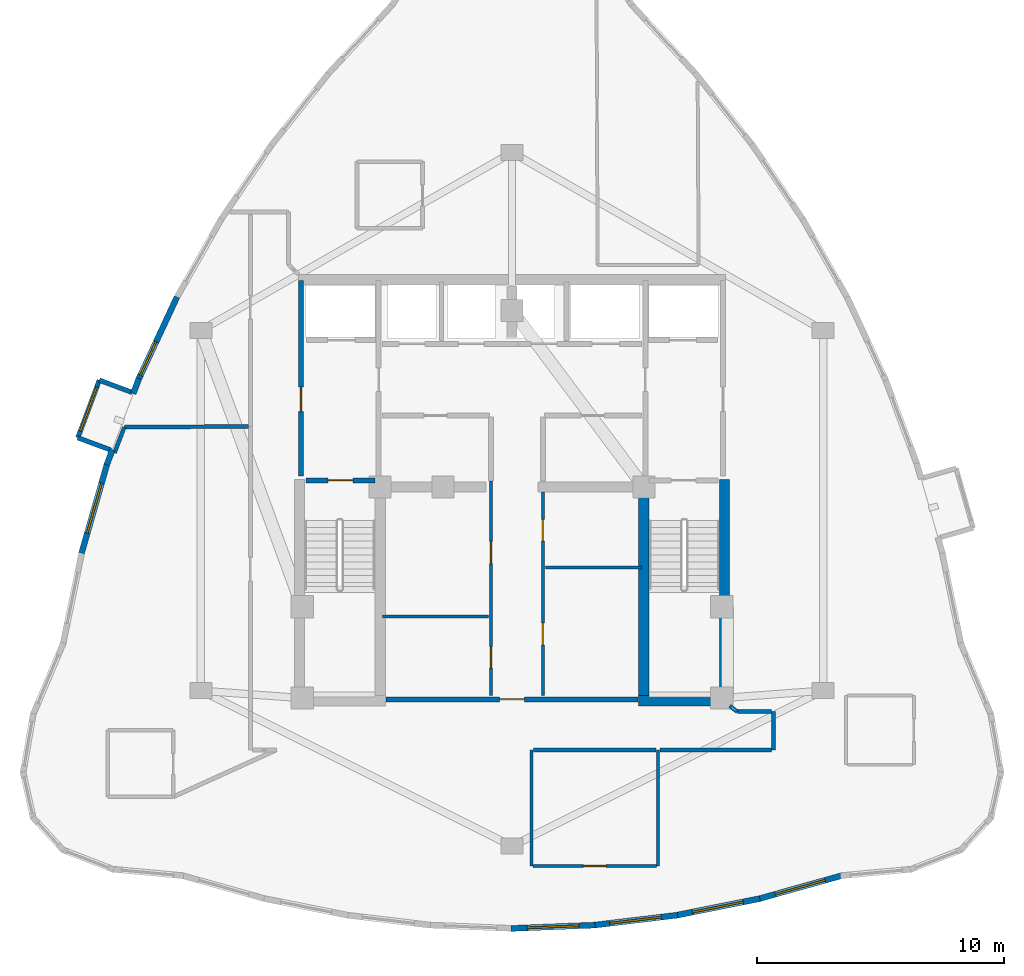
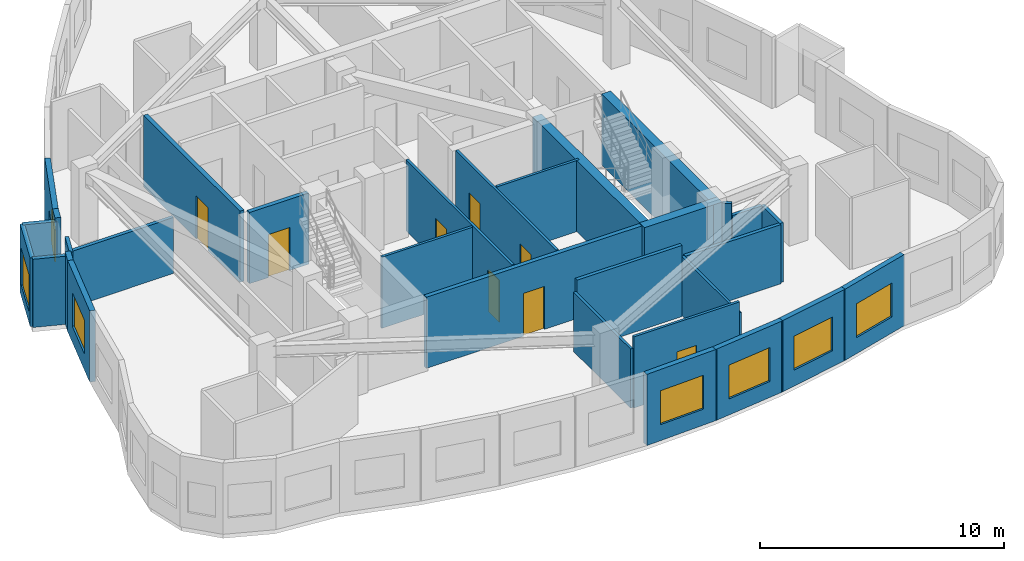
# One storey, part 5 of 9: 31 walls, 8 doors, 7 windows, 15 openings.
"""IFC4 building model written with IfcOpenShell, lengths in metres."""

from ifc_helpers import new_model, si_unit, direction, frame, frame_2d, origin, place, context, subcontext, project, spatial, rectangle, extrude, material, layer, layer_set, type_object, element, fill, save


model = new_model("IFC4")

# Units and contexts
model_context = context("Model", 3, precision=1e-05, world=origin(), true_north=direction((0.0, 1.0)))
body_context = subcontext(model_context, "Body", "Model", "MODEL_VIEW")
ifc_project = project(units=[si_unit("LENGTHUNIT", "METRE"), si_unit("AREAUNIT", "SQUARE_METRE"), si_unit("VOLUMEUNIT", "CUBIC_METRE"), si_unit("PLANEANGLEUNIT", "RADIAN"), si_unit("MASSUNIT", "GRAM", prefix="KILO")], contexts=[model_context])

# Site, building, storey
site_placement = place(None, origin())
site = spatial("IfcSite", under=ifc_project, at=site_placement, CompositionType="ELEMENT")
building_placement = place(site_placement, origin())
building = spatial("IfcBuilding", under=site, at=building_placement, Name="Miruveldt Soraemaru", CompositionType="ELEMENT")
storey_placement = place(building_placement, frame((0.0, 0.0, 267.39990234375)))
storey = spatial("IfcBuildingStorey", under=building, at=storey_placement, Name="L73", CompositionType="ELEMENT", Elevation=267.39990234375)

# Walls
ifc_material_1 = material(Name="White powder-coated aluminium EN AW-6060 T6", Category="aluminium")
ifc_layer_1 = layer(ifc_material_1, 0.18994140625, Name="White powder-coated aluminium EN AW-6060 T6", Category="aluminium")
ifc_layer_set_1 = layer_set([ifc_layer_1], Name="White powder-coated aluminium EN AW-6060 T6")
wall_type_1 = type_object("IfcWallType", Name="WALL-BAY-ALU190", PredefinedType="SOLIDWALL", material=ifc_layer_set_1)
for number, where, z_axis, x_axis, name in (
    (1, (28.61669921875, 47.8828125, 0.0), (0.0, 0.0, 1.0), (-0.937129361406, 0.348982177182, 0.0), "L73 Bay Window Side Cheek 1L"),
    (2, (26.410888671875, 46.0439453125, 0.0), (0.0, 0.0, 1.0), (0.937129361406, -0.348982177182, 0.0), "L73 Bay Window Side Cheek 1R"),
):
    element("IfcWall", number, at=place(storey_placement, frame(where, z_axis=z_axis, x_axis=x_axis)), inside=storey, type_object=wall_type_1, Name=name, PredefinedType="SOLIDWALL", context=body_context, shape_type="SweptSolid", body=[
        extrude(rectangle(XDim=1.425048828125, YDim=0.18994140625, at=frame_2d((0.71240234375, 0.0))), origin(), (0.0, 0.0, 1.0), 3.4150390625),
    ])

# Wall, opening, window
wall_1_placement = place(storey_placement, frame((27.28125, 48.380126953125, 0.0), z_axis=(0.0, 0.0, 1.0), x_axis=(-0.349115767746, -0.937079602121, 0.0)))
wall_1 = element("IfcWall", 3, at=wall_1_placement, inside=storey, type_object=wall_type_1, Name="L73 Bay Window Front Frame 1", PredefinedType="SOLIDWALL", context=body_context, shape_type="SweptSolid", body=[
    extrude(rectangle(XDim=2.4931640625, YDim=0.18994140625, at=frame_2d((1.24658203125, 0.0))), origin(), (0.0, 0.0, 1.0), 3.4150390625),
])
opening_1_placement = place(wall_1_placement, frame((0.297119140625, 0.0, 0.550048828125)))
opening_1 = element("IfcOpeningElement", 4, at=opening_1_placement, cuts=wall_1, Name="Opening WN-6", PredefinedType="OPENING", context=body_context, shape_type="SweptSolid", body=[
    extrude(rectangle(XDim=1.89990234375, YDim=1.85009765625, at=frame_2d((0.949951171875, 0.925048828125))), frame((0.0, 0.10498046875, 0.0), z_axis=(0.0, -1.0, 0.0), x_axis=(1.0, 0.0, 0.0)), (0.0, 0.0, 1.0), 0.2099609375),
])
ifc_material_2 = material(Name="Triple low-e insulated glazing", Category="glass")
window_type_1 = type_object("IfcWindowType", Name="WIN-BAYW-1900x1850", PartitioningType="SINGLE_PANEL", PredefinedType="WINDOW", material=ifc_material_2)
window_1_placement = place(opening_1_placement, origin())
window_1 = element("IfcWindow", 5, at=window_1_placement, inside=storey, type_object=window_type_1, Name="L73 Projecting Bay Window 1", OverallHeight=1.85009765625, OverallWidth=1.89990234375, PartitioningType="SINGLE_PANEL", PredefinedType="WINDOW", context=body_context, shape_type="SweptSolid", body=[
    extrude(rectangle(XDim=1.89990234375, YDim=1.85009765625, at=frame_2d((0.949951171875, 0.925048828125))), frame((0.0, 0.030029296875, 0.0), z_axis=(0.0, -1.0, 0.0), x_axis=(1.0, 0.0, 0.0)), (0.0, 0.0, 1.0), 0.06005859375),
])
fill(opening_1, window_1)

# Walls
ifc_material_3 = material(Name="Concrete C50/60 (50 MPa)", Category="concrete")
ifc_layer_2 = layer(ifc_material_3, 0.419921875, Name="Concrete C50/60 (50 MPa)", Category="concrete")
ifc_layer_set_2 = layer_set([ifc_layer_2], Name="Concrete C50/60 (50 MPa)")
wall_type_2 = type_object("IfcWallType", Name="WALL-CW-420", PredefinedType="SHEAR", material=ifc_layer_set_2)
wall_2_placement = place(storey_placement, frame((49.1298828125, 35.389892578125, 0.0), z_axis=(0.0, 0.0, 1.0), x_axis=(1.0, 0.0, 0.0)))
element("IfcWall", 6, at=wall_2_placement, inside=storey, type_object=wall_type_2, Name="L73 Central Core Shear Wall S2", PredefinedType="SHEAR", context=body_context, shape_type="SweptSolid", body=[
    extrude(rectangle(XDim=3.690185546875, YDim=0.419921875, at=frame_2d((1.84521484375, 0.0))), origin(), (0.0, 0.0, 1.0), 3.565185546875),
])
wall_3_placement = place(storey_placement, frame((52.610107421875, 35.179931640625, 0.0), z_axis=(0.0, 0.0, 1.0), x_axis=(0.0, 1.0, 0.0)))
element("IfcWall", 7, at=wall_3_placement, inside=storey, type_object=wall_type_2, Name="L73 Central Core Shear Wall E1", PredefinedType="SHEAR", context=body_context, shape_type="SweptSolid", body=[
    extrude(rectangle(XDim=9.170166015625, YDim=0.419921875, at=frame_2d((4.5849609375, 0.0))), origin(), (0.0, 0.0, 1.0), 3.565185546875),
])
wall_4_placement = place(storey_placement, frame((49.340087890625, 35.39990234375, 0.0), z_axis=(0.0, 0.0, 1.0), x_axis=(0.0, 1.0, 0.0)))
element("IfcWall", 8, at=wall_4_placement, inside=storey, type_object=wall_type_2, Name="L73 Central Core Shear Wall SE-INT", PredefinedType="SHEAR", context=body_context, shape_type="SweptSolid", body=[
    extrude(rectangle(XDim=8.9501953125, YDim=0.419921875, at=frame_2d((4.47509765625, 0.0))), origin(), (0.0, 0.0, 1.0), 3.565185546875),
])

# Wall, opening, window
ifc_material_4 = material(Name="Precast concrete C45/55 (45 MPa)", Category="concrete")
ifc_layer_3 = layer(ifc_material_4, 0.239990234375, Name="Precast concrete C45/55 (45 MPa)", Category="concrete")
ifc_layer_set_3 = layer_set([ifc_layer_3], Name="Precast concrete C45/55 (45 MPa)")
wall_type_3 = type_object("IfcWallType", Name="WALL-EXT-PC240", PredefinedType="SOLIDWALL", material=ifc_layer_set_3)
wall_5_placement = place(storey_placement, frame((30.426025390625, 51.7470703125, 0.0), z_axis=(0.0, 0.0, 1.0), x_axis=(-0.422345429955, -0.906434960599, 0.0)))
wall_5 = element("IfcWall", 9, at=wall_5_placement, inside=storey, type_object=wall_type_3, Name="L73 Precast Concrete Facade Wall 11", PredefinedType="SOLIDWALL", context=body_context, shape_type="SweptSolid", body=[
    extrude(rectangle(XDim=3.712890625, YDim=0.239990234375, at=frame_2d((1.8564453125, 0.0))), origin(), (0.0, 0.0, 1.0), 3.565185546875),
])
opening_2_placement = place(wall_5_placement, frame((1.9970703125, 0.0, 0.800048828125)))
opening_2 = element("IfcOpeningElement", 10, at=opening_2_placement, cuts=wall_5, Name="Opening WN-3", PredefinedType="OPENING", context=body_context, shape_type="SweptSolid", body=[
    extrude(rectangle(XDim=1.5, YDim=1.60009765625, at=frame_2d((0.75, 0.800048828125))), frame((0.0, 0.1298828125, 0.0), z_axis=(0.0, -1.0, 0.0), x_axis=(1.0, 0.0, 0.0)), (0.0, 0.0, 1.0), 0.260009765625),
])
window_type_2 = type_object("IfcWindowType", Name="WIN-PUNCH-1500x1600", PartitioningType="SINGLE_PANEL", PredefinedType="WINDOW", material=ifc_material_2)
window_2_placement = place(opening_2_placement, origin())
window_2 = element("IfcWindow", 11, at=window_2_placement, inside=storey, type_object=window_type_2, Name="L73 Punched Triple-Glazed Window 11.1", OverallHeight=1.60009765625, OverallWidth=1.5, PartitioningType="SINGLE_PANEL", PredefinedType="WINDOW", context=body_context, shape_type="SweptSolid", body=[
    extrude(rectangle(XDim=1.5, YDim=1.60009765625, at=frame_2d((0.75, 0.800048828125))), frame((0.0, 0.030029296875, 0.0), z_axis=(0.0, -1.0, 0.0), x_axis=(1.0, 0.0, 0.0)), (0.0, 0.0, 1.0), 0.06005859375),
])
fill(opening_2, window_2)

# Walls
for number, where, z_axis, x_axis, name in (
    (12, (28.885009765625, 48.446044921875, 0.0), (0.0, 0.0, 1.0), (-0.348863836898, -0.937173422214, 0.0), "L73 Precast Pier Wall 12A"),
    (13, (27.808349609375, 45.555419921875, 0.0), (0.0, 0.0, 1.0), (-0.348863836898, -0.937173422214, 0.0), "L73 Precast Pier Wall 12B"),
):
    element("IfcWall", number, at=place(storey_placement, frame(where, z_axis=z_axis, x_axis=x_axis)), inside=storey, type_object=wall_type_3, Name=name, PredefinedType="SOLIDWALL", context=body_context, shape_type="SweptSolid", body=[
        extrude(rectangle(XDim=0.651611328125, YDim=0.239990234375, at=frame_2d((0.32568359375, 0.0))), origin(), (0.0, 0.0, 1.0), 3.565185546875),
    ])

# Wall, opening, window
wall_6_placement = place(storey_placement, frame((27.602783203125, 45.011474609375, 0.0), z_axis=(0.0, 0.0, 1.0), x_axis=(-0.274917207147, -0.961467903372, 0.0)))
wall_6 = element("IfcWall", 14, at=wall_6_placement, inside=storey, type_object=wall_type_3, Name="L73 Precast Concrete Facade Wall 13", PredefinedType="SOLIDWALL", context=body_context, shape_type="SweptSolid", body=[
    extrude(rectangle(XDim=3.7822265625, YDim=0.239990234375, at=frame_2d((1.89111328125, 0.0))), origin(), (0.0, 0.0, 1.0), 3.565185546875),
])
opening_3_placement = place(wall_6_placement, frame((0.841064453125, 0.0, 0.800048828125)))
opening_3 = element("IfcOpeningElement", 15, at=opening_3_placement, cuts=wall_6, Name="Opening WN-1", PredefinedType="OPENING", context=body_context, shape_type="SweptSolid", body=[
    extrude(rectangle(XDim=2.10009765625, YDim=1.699951171875, at=frame_2d((1.050048828125, 0.85009765625))), frame((0.0, 0.1298828125, 0.0), z_axis=(0.0, -1.0, 0.0), x_axis=(1.0, 0.0, 0.0)), (0.0, 0.0, 1.0), 0.260009765625),
])
window_type_3 = type_object("IfcWindowType", Name="WIN-PUNCH-2100x1700", PartitioningType="SINGLE_PANEL", PredefinedType="WINDOW", material=ifc_material_2)
window_3_placement = place(opening_3_placement, origin())
window_3 = element("IfcWindow", 16, at=window_3_placement, inside=storey, type_object=window_type_3, Name="L73 Punched Triple-Glazed Window 13.1", OverallHeight=1.699951171875, OverallWidth=2.10009765625, PartitioningType="SINGLE_PANEL", PredefinedType="WINDOW", context=body_context, shape_type="SweptSolid", body=[
    extrude(rectangle(XDim=2.10009765625, YDim=1.699951171875, at=frame_2d((1.050048828125, 0.85009765625))), frame((0.0, 0.030029296875, 0.0), z_axis=(0.0, -1.0, 0.0), x_axis=(1.0, 0.0, 0.0)), (0.0, 0.0, 1.0), 0.06005859375),
])
fill(opening_3, window_3)

wall_7_placement = place(storey_placement, frame((43.965087890625, 26.167724609375, 0.0), z_axis=(0.0, 0.0, 1.0), x_axis=(0.999200844289, 0.039970899069, 0.0)))
wall_7 = element("IfcWall", 17, at=wall_7_placement, inside=storey, type_object=wall_type_3, Name="L73 Precast Concrete Facade Wall 25", PredefinedType="SOLIDWALL", context=body_context, shape_type="SweptSolid", body=[
    extrude(rectangle(XDim=3.408203125, YDim=0.239990234375, at=frame_2d((1.7041015625, 0.0))), origin(), (0.0, 0.0, 1.0), 3.565185546875),
])
opening_4_placement = place(wall_7_placement, frame((0.654052734375, 0.0, 0.800048828125)))
opening_4 = element("IfcOpeningElement", 18, at=opening_4_placement, cuts=wall_7, Name="Opening WN-1", PredefinedType="OPENING", context=body_context, shape_type="SweptSolid", body=[
    extrude(rectangle(XDim=2.10009765625, YDim=1.699951171875, at=frame_2d((1.050048828125, 0.85009765625))), frame((0.0, 0.1298828125, 0.0), z_axis=(0.0, -1.0, 0.0), x_axis=(1.0, 0.0, 0.0)), (0.0, 0.0, 1.0), 0.260009765625),
])
window_4_placement = place(opening_4_placement, origin())
window_4 = element("IfcWindow", 19, at=window_4_placement, inside=storey, type_object=window_type_3, Name="L73 Punched Triple-Glazed Window 25.1", OverallHeight=1.699951171875, OverallWidth=2.10009765625, PartitioningType="SINGLE_PANEL", PredefinedType="WINDOW", context=body_context, shape_type="SweptSolid", body=[
    extrude(rectangle(XDim=2.10009765625, YDim=1.699951171875, at=frame_2d((1.050048828125, 0.85009765625))), frame((0.0, 0.030029296875, 0.0), z_axis=(0.0, -1.0, 0.0), x_axis=(1.0, 0.0, 0.0)), (0.0, 0.0, 1.0), 0.06005859375),
])
fill(opening_4, window_4)

wall_8_placement = place(storey_placement, frame((47.30078125, 26.29833984375, 0.0), z_axis=(0.0, 0.0, 1.0), x_axis=(0.992874817346, 0.119162062248, 0.0)))
wall_8 = element("IfcWall", 20, at=wall_8_placement, inside=storey, type_object=wall_type_3, Name="L73 Precast Concrete Facade Wall 26", PredefinedType="SOLIDWALL", context=body_context, shape_type="SweptSolid", body=[
    extrude(rectangle(XDim=3.4296875, YDim=0.239990234375, at=frame_2d((1.71484375, 0.0))), origin(), (0.0, 0.0, 1.0), 3.565185546875),
])
opening_5_placement = place(wall_8_placement, frame((0.6650390625, 0.0, 0.800048828125)))
opening_5 = element("IfcOpeningElement", 21, at=opening_5_placement, cuts=wall_8, Name="Opening WN-1", PredefinedType="OPENING", context=body_context, shape_type="SweptSolid", body=[
    extrude(rectangle(XDim=2.10009765625, YDim=1.699951171875, at=frame_2d((1.050048828125, 0.85009765625))), frame((0.0, 0.1298828125, 0.0), z_axis=(0.0, -1.0, 0.0), x_axis=(1.0, 0.0, 0.0)), (0.0, 0.0, 1.0), 0.260009765625),
])
window_5_placement = place(opening_5_placement, origin())
window_5 = element("IfcWindow", 22, at=window_5_placement, inside=storey, type_object=window_type_3, Name="L73 Punched Triple-Glazed Window 26.1", OverallHeight=1.699951171875, OverallWidth=2.10009765625, PartitioningType="SINGLE_PANEL", PredefinedType="WINDOW", context=body_context, shape_type="SweptSolid", body=[
    extrude(rectangle(XDim=2.10009765625, YDim=1.699951171875, at=frame_2d((1.050048828125, 0.85009765625))), frame((0.0, 0.030029296875, 0.0), z_axis=(0.0, -1.0, 0.0), x_axis=(1.0, 0.0, 0.0)), (0.0, 0.0, 1.0), 0.06005859375),
])
fill(opening_5, window_5)

wall_9_placement = place(storey_placement, frame((50.636962890625, 26.696044921875, 0.0), z_axis=(0.0, 0.0, 1.0), x_axis=(0.980577970883, 0.196129658691, 0.0)))
wall_9 = element("IfcWall", 23, at=wall_9_placement, inside=storey, type_object=wall_type_3, Name="L73 Precast Concrete Facade Wall 27", PredefinedType="SOLIDWALL", context=body_context, shape_type="SweptSolid", body=[
    extrude(rectangle(XDim=3.4716796875, YDim=0.239990234375, at=frame_2d((1.73583984375, 0.0))), origin(), (0.0, 0.0, 1.0), 3.565185546875),
])
opening_6_placement = place(wall_9_placement, frame((0.68603515625, 0.0, 0.800048828125)))
opening_6 = element("IfcOpeningElement", 24, at=opening_6_placement, cuts=wall_9, Name="Opening WN-1", PredefinedType="OPENING", context=body_context, shape_type="SweptSolid", body=[
    extrude(rectangle(XDim=2.10009765625, YDim=1.699951171875, at=frame_2d((1.050048828125, 0.85009765625))), frame((0.0, 0.1298828125, 0.0), z_axis=(0.0, -1.0, 0.0), x_axis=(1.0, 0.0, 0.0)), (0.0, 0.0, 1.0), 0.260009765625),
])
window_6_placement = place(opening_6_placement, origin())
window_6 = element("IfcWindow", 25, at=window_6_placement, inside=storey, type_object=window_type_3, Name="L73 Punched Triple-Glazed Window 27.1", OverallHeight=1.699951171875, OverallWidth=2.10009765625, PartitioningType="SINGLE_PANEL", PredefinedType="WINDOW", context=body_context, shape_type="SweptSolid", body=[
    extrude(rectangle(XDim=2.10009765625, YDim=1.699951171875, at=frame_2d((1.050048828125, 0.85009765625))), frame((0.0, 0.030029296875, 0.0), z_axis=(0.0, -1.0, 0.0), x_axis=(1.0, 0.0, 0.0)), (0.0, 0.0, 1.0), 0.06005859375),
])
fill(opening_6, window_6)

wall_10_placement = place(storey_placement, frame((53.973388671875, 27.360595703125, 0.0), z_axis=(0.0, 0.0, 1.0), x_axis=(0.962957561597, 0.26965298916, 0.0)))
wall_10 = element("IfcWall", 26, at=wall_10_placement, inside=storey, type_object=wall_type_3, Name="L73 Precast Concrete Facade Wall 28", PredefinedType="SOLIDWALL", context=body_context, shape_type="SweptSolid", body=[
    extrude(rectangle(XDim=3.53369140625, YDim=0.239990234375, at=frame_2d((1.766845703125, 0.0))), origin(), (0.0, 0.0, 1.0), 3.565185546875),
])
opening_7_placement = place(wall_10_placement, frame((0.717041015625, 0.0, 0.800048828125)))
opening_7 = element("IfcOpeningElement", 27, at=opening_7_placement, cuts=wall_10, Name="Opening WN-1", PredefinedType="OPENING", context=body_context, shape_type="SweptSolid", body=[
    extrude(rectangle(XDim=2.10009765625, YDim=1.699951171875, at=frame_2d((1.050048828125, 0.85009765625))), frame((0.0, 0.1298828125, 0.0), z_axis=(0.0, -1.0, 0.0), x_axis=(1.0, 0.0, 0.0)), (0.0, 0.0, 1.0), 0.260009765625),
])
window_7_placement = place(opening_7_placement, origin())
window_7 = element("IfcWindow", 28, at=window_7_placement, inside=storey, type_object=window_type_3, Name="L73 Punched Triple-Glazed Window 28.1", OverallHeight=1.699951171875, OverallWidth=2.10009765625, PartitioningType="SINGLE_PANEL", PredefinedType="WINDOW", context=body_context, shape_type="SweptSolid", body=[
    extrude(rectangle(XDim=2.10009765625, YDim=1.699951171875, at=frame_2d((1.050048828125, 0.85009765625))), frame((0.0, 0.030029296875, 0.0), z_axis=(0.0, -1.0, 0.0), x_axis=(1.0, 0.0, 0.0)), (0.0, 0.0, 1.0), 0.06005859375),
])
fill(opening_7, window_7)

# Wall, openings, doors
ifc_material_5 = material(Name="Gypsum plasterboard lining", Category="gypsum")
ifc_layer_4 = layer(ifc_material_5, 0.1201171875, Name="Gypsum plasterboard lining", Category="gypsum")
ifc_layer_set_4 = layer_set([ifc_layer_4], Name="Gypsum plasterboard lining")
wall_type_4 = type_object("IfcWallType", Name="WALL-INT-P120", PredefinedType="PARTITIONING", material=ifc_layer_set_4)
wall_11_placement = place(storey_placement, frame((43.14990234375, 35.60009765625, 0.0), z_axis=(0.0, 0.0, 1.0), x_axis=(0.0, 1.0, 0.0)))
wall_11 = element("IfcWall", 29, at=wall_11_placement, inside=storey, type_object=wall_type_4, Name="L73 Core Compartment Wall SP-WL", PredefinedType="PARTITIONING", context=body_context, shape_type="SweptSolid", body=[
    extrude(rectangle(XDim=8.699951171875, YDim=0.1201171875, at=frame_2d((4.35009765625, 0.0))), origin(), (0.0, 0.0, 1.0), 3.565185546875),
])
opening_8_placement = place(wall_11_placement, frame((1.110107421875, 0.0, 0.0)))
opening_8 = element("IfcOpeningElement", 30, at=opening_8_placement, cuts=wall_11, Name="Opening D4", PredefinedType="OPENING", context=body_context, shape_type="SweptSolid", body=[
    extrude(rectangle(XDim=0.8798828125, YDim=2.10009765625, at=frame_2d((0.43994140625, 1.050048828125))), frame((0.0, 0.070068359375, 0.0), z_axis=(0.0, -1.0, 0.0), x_axis=(1.0, 0.0, 0.0)), (0.0, 0.0, 1.0), 0.14013671875),
])
opening_9_placement = place(wall_11_placement, frame((5.35009765625, 0.0, 0.0)))
opening_9 = element("IfcOpeningElement", 31, at=opening_9_placement, cuts=wall_11, Name="Opening D3", PredefinedType="OPENING", context=body_context, shape_type="SweptSolid", body=[
    extrude(rectangle(XDim=0.89990234375, YDim=2.10009765625, at=frame_2d((0.449951171875, 1.050048828125))), frame((0.0, 0.070068359375, 0.0), z_axis=(0.0, -1.0, 0.0), x_axis=(1.0, 0.0, 0.0)), (0.0, 0.0, 1.0), 0.14013671875),
])
ifc_material_6 = material(Name="Anodised aluminium EN AW-6063 T6", Category="aluminium")
door_type_1 = type_object("IfcDoorType", Name="DOOR-INT-880", OperationType="NOTDEFINED", PredefinedType="DOOR", material=ifc_material_6)
door_1_placement = place(opening_8_placement, origin())
door_1 = element("IfcDoor", 32, at=door_1_placement, inside=storey, type_object=door_type_1, Name="L73 Fire Door", OperationType="SINGLE_SWING_LEFT", OverallHeight=2.10009765625, OverallWidth=0.8798828125, PredefinedType="DOOR", context=body_context, shape_type="SweptSolid", body=[
    extrude(rectangle(XDim=0.8798828125, YDim=2.10009765625, at=frame_2d((0.43994140625, 1.050048828125))), frame((0.0, 0.02490234375, 0.0), z_axis=(0.0, -1.0, 0.0), x_axis=(1.0, 0.0, 0.0)), (0.0, 0.0, 1.0), 0.050048828125),
])
fill(opening_8, door_1)
door_type_2 = type_object("IfcDoorType", Name="DOOR-INT-900", OperationType="NOTDEFINED", PredefinedType="DOOR", material=ifc_material_6)
door_2_placement = place(opening_9_placement, origin())
door_2 = element("IfcDoor", 33, at=door_2_placement, inside=storey, type_object=door_type_2, Name="L73 Fire Door", OperationType="SINGLE_SWING_LEFT", OverallHeight=2.10009765625, OverallWidth=0.89990234375, PredefinedType="DOOR", context=body_context, shape_type="SweptSolid", body=[
    extrude(rectangle(XDim=0.89990234375, YDim=2.10009765625, at=frame_2d((0.449951171875, 1.050048828125))), frame((0.0, 0.02490234375, 0.0), z_axis=(0.0, -1.0, 0.0), x_axis=(1.0, 0.0, 0.0)), (0.0, 0.0, 1.0), 0.050048828125),
])
fill(opening_9, door_2)

wall_12_placement = place(storey_placement, frame((45.25, 35.60009765625, 0.0), z_axis=(0.0, 0.0, 1.0), x_axis=(0.0, 1.0, 0.0)))
wall_12 = element("IfcWall", 34, at=wall_12_placement, inside=storey, type_object=wall_type_4, Name="L73 Core Compartment Wall SP-EL", PredefinedType="PARTITIONING", context=body_context, shape_type="SweptSolid", body=[
    extrude(rectangle(XDim=8.25, YDim=0.1201171875, at=frame_2d((4.125, 0.0))), origin(), (0.0, 0.0, 1.0), 3.565185546875),
])
opening_10_placement = place(wall_12_placement, frame((2.050048828125, 0.0, 0.0)))
opening_10 = element("IfcOpeningElement", 35, at=opening_10_placement, cuts=wall_12, Name="Opening D3", PredefinedType="OPENING", context=body_context, shape_type="SweptSolid", body=[
    extrude(rectangle(XDim=0.89990234375, YDim=2.10009765625, at=frame_2d((0.449951171875, 1.050048828125))), frame((0.0, 0.070068359375, 0.0), z_axis=(0.0, -1.0, 0.0), x_axis=(1.0, 0.0, 0.0)), (0.0, 0.0, 1.0), 0.14013671875),
])
opening_11_placement = place(wall_12_placement, frame((6.260009765625, 0.0, 0.0)))
opening_11 = element("IfcOpeningElement", 36, at=opening_11_placement, cuts=wall_12, Name="Opening D4", PredefinedType="OPENING", context=body_context, shape_type="SweptSolid", body=[
    extrude(rectangle(XDim=0.8798828125, YDim=2.10009765625, at=frame_2d((0.43994140625, 1.050048828125))), frame((0.0, 0.070068359375, 0.0), z_axis=(0.0, -1.0, 0.0), x_axis=(1.0, 0.0, 0.0)), (0.0, 0.0, 1.0), 0.14013671875),
])
door_3_placement = place(opening_11_placement, origin())
door_3 = element("IfcDoor", 37, at=door_3_placement, inside=storey, type_object=door_type_1, Name="L73 Fire Door", OperationType="SINGLE_SWING_LEFT", OverallHeight=2.10009765625, OverallWidth=0.8798828125, PredefinedType="DOOR", context=body_context, shape_type="SweptSolid", body=[
    extrude(rectangle(XDim=0.8798828125, YDim=2.10009765625, at=frame_2d((0.43994140625, 1.050048828125))), frame((0.0, 0.02490234375, 0.0), z_axis=(0.0, -1.0, 0.0), x_axis=(1.0, 0.0, 0.0)), (0.0, 0.0, 1.0), 0.050048828125),
])
fill(opening_11, door_3)
door_4_placement = place(opening_10_placement, origin())
door_4 = element("IfcDoor", 38, at=door_4_placement, inside=storey, type_object=door_type_2, Name="L73 Fire Door", OperationType="SINGLE_SWING_LEFT", OverallHeight=2.10009765625, OverallWidth=0.89990234375, PredefinedType="DOOR", context=body_context, shape_type="SweptSolid", body=[
    extrude(rectangle(XDim=0.89990234375, YDim=2.10009765625, at=frame_2d((0.449951171875, 1.050048828125))), frame((0.0, 0.02490234375, 0.0), z_axis=(0.0, -1.0, 0.0), x_axis=(1.0, 0.0, 0.0)), (0.0, 0.0, 1.0), 0.050048828125),
])
fill(opening_10, door_4)

# Wall, opening, door
wall_13_placement = place(storey_placement, frame((49.85693359375, 28.698974609375, 0.0), z_axis=(0.0, 0.0, 1.0), x_axis=(-1.0, 0.0, 0.0)))
wall_13 = element("IfcWall", 39, at=wall_13_placement, inside=storey, type_object=wall_type_4, Name="L73 Partition Wall 26", PredefinedType="PARTITIONING", context=body_context, shape_type="SweptSolid", body=[
    extrude(rectangle(XDim=5.0078125, YDim=0.1201171875, at=frame_2d((2.50390625, 0.0))), origin(), (0.0, 0.0, 1.0), 3.565185546875),
])
opening_12_placement = place(wall_13_placement, frame((2.0439453125, 0.0, 0.0)))
opening_12 = element("IfcOpeningElement", 40, at=opening_12_placement, cuts=wall_13, Name="Opening D3A", PredefinedType="OPENING", context=body_context, shape_type="SweptSolid", body=[
    extrude(rectangle(XDim=0.919921875, YDim=2.10009765625, at=frame_2d((0.4599609375, 1.050048828125))), frame((0.0, 0.070068359375, 0.0), z_axis=(0.0, -1.0, 0.0), x_axis=(1.0, 0.0, 0.0)), (0.0, 0.0, 1.0), 0.14013671875),
])
door_type_3 = type_object("IfcDoorType", Name="DOOR-INT-920", OperationType="NOTDEFINED", PredefinedType="DOOR", material=ifc_material_6)
door_5_placement = place(opening_12_placement, origin())
door_5 = element("IfcDoor", 41, at=door_5_placement, inside=storey, type_object=door_type_3, Name="L73 Unit CL02 EXT Door", OperationType="SINGLE_SWING_LEFT", OverallHeight=2.10009765625, OverallWidth=0.919921875, PredefinedType="DOOR", context=body_context, shape_type="SweptSolid", body=[
    extrude(rectangle(XDim=0.919921875, YDim=2.10009765625, at=frame_2d((0.4599609375, 1.050048828125))), frame((0.0, 0.02490234375, 0.0), z_axis=(0.0, -1.0, 0.0), x_axis=(1.0, 0.0, 0.0)), (0.0, 0.0, 1.0), 0.050048828125),
])
fill(opening_12, door_5)

# Walls
for number, where, z_axis, x_axis, name in (
    (42, (49.9169921875, 33.39990234375, 0.0), (0.0, 0.0, 1.0), (0.0, -1.0, 0.0), "L73 Partition Wall 25"),
    (43, (44.7890625, 28.698974609375, 0.0), (0.0, 0.0, 1.0), (0.0, 1.0, 0.0), "L73 Partition Wall 29"),
):
    element("IfcWall", number, at=place(storey_placement, frame(where, z_axis=z_axis, x_axis=x_axis)), inside=storey, type_object=wall_type_4, Name=name, PredefinedType="PARTITIONING", context=body_context, shape_type="SweptSolid", body=[
        extrude(rectangle(XDim=4.700927734375, YDim=0.1201171875, at=frame_2d((2.3505859375, 0.0))), origin(), (0.0, 0.0, 1.0), 2.965087890625),
    ])
wall_14_placement = place(storey_placement, frame((38.75, 38.800048828125, 0.0), z_axis=(0.0, 0.0, 1.0), x_axis=(1.0, 0.0, 0.0)))
element("IfcWall", 44, at=wall_14_placement, inside=storey, type_object=wall_type_4, Name="L73 Core Compartment Wall RL-W2H", PredefinedType="PARTITIONING", context=body_context, shape_type="SweptSolid", body=[
    extrude(rectangle(XDim=4.300048828125, YDim=0.1201171875, at=frame_2d((2.14990234375, 0.0))), origin(), (0.0, 0.0, 1.0), 3.565185546875),
])
wall_15_placement = place(storey_placement, frame((45.35009765625, 40.800048828125, 0.0), z_axis=(0.0, 0.0, 1.0), x_axis=(1.0, 0.0, 0.0)))
element("IfcWall", 45, at=wall_15_placement, inside=storey, type_object=wall_type_4, Name="L73 Core Compartment Wall RL-E2H", PredefinedType="PARTITIONING", context=body_context, shape_type="SweptSolid", body=[
    extrude(rectangle(XDim=3.89990234375, YDim=0.1201171875, at=frame_2d((1.949951171875, 0.0))), origin(), (0.0, 0.0, 1.0), 3.565185546875),
])
ifc_material_7 = material(Name="Concrete C40/50 (40 MPa)", Category="concrete")
ifc_layer_5 = layer(ifc_material_7, 0.159912109375, Name="Concrete C40/50 (40 MPa)", Category="concrete")
ifc_layer_set_5 = layer_set([ifc_layer_5], Name="Concrete C40/50 (40 MPa)")
wall_type_5 = type_object("IfcWallType", Name="WALL-INT-RC160", PredefinedType="SOLIDWALL", material=ifc_layer_set_5)
wall_16_placement = place(storey_placement, frame((28.297119140625, 46.48095703125, 0.0), z_axis=(0.0, 0.0, 1.0), x_axis=(0.999992813506, 0.003791165522, 0.0)))
element("IfcWall", 46, at=wall_16_placement, inside=storey, type_object=wall_type_5, Name="L73 Partition Wall 16", PredefinedType="SOLIDWALL", context=body_context, shape_type="SweptSolid", body=[
    extrude(rectangle(XDim=5.02294921875, YDim=0.159912109375, at=frame_2d((2.511474609375, 0.0))), origin(), (0.0, 0.0, 1.0), 2.802978515625),
])
wall_17_placement = place(storey_placement, frame((44.868896484375, 33.39990234375, 0.0), z_axis=(0.0, 0.0, 1.0), x_axis=(1.0, 0.0, 0.0)))
element("IfcWall", 47, at=wall_17_placement, inside=storey, type_object=wall_type_5, Name="L73 Partition Wall 10", PredefinedType="SOLIDWALL", context=body_context, shape_type="SweptSolid", body=[
    extrude(rectangle(XDim=4.968017578125, YDim=0.159912109375, at=frame_2d((2.48388671875, 0.0))), origin(), (0.0, 0.0, 1.0), 3.565185546875),
])
wall_18_placement = place(storey_placement, frame((49.9970703125, 33.39990234375, 0.0), z_axis=(0.0, 0.0, 1.0), x_axis=(1.0, 0.0, 0.0)))
element("IfcWall", 48, at=wall_18_placement, inside=storey, type_object=wall_type_5, Name="L73 Partition Wall 7", PredefinedType="SOLIDWALL", context=body_context, shape_type="SweptSolid", body=[
    extrude(rectangle(XDim=4.52294921875, YDim=0.159912109375, at=frame_2d((2.261474609375, 0.0))), origin(), (0.0, 0.0, 1.0), 2.965087890625),
])
wall_19_placement = place(storey_placement, frame((54.60009765625, 33.39990234375, 0.0), z_axis=(0.0, 0.0, 1.0), x_axis=(0.0, 1.0, 0.0)))
element("IfcWall", 49, at=wall_19_placement, inside=storey, type_object=wall_type_5, Name="L73 Partition Wall 8", PredefinedType="SOLIDWALL", context=body_context, shape_type="SweptSolid", body=[
    extrude(rectangle(XDim=1.550048828125, YDim=0.159912109375, at=frame_2d((0.77490234375, 0.0))), origin(), (0.0, 0.0, 1.0), 2.965087890625),
])
wall_20_placement = place(storey_placement, frame((54.52001953125, 34.949951171875, 0.0), z_axis=(0.0, 0.0, 1.0), x_axis=(-1.0, 0.0, 0.0)))
element("IfcWall", 50, at=wall_20_placement, inside=storey, type_object=wall_type_5, Name="L73 Partition Wall 9", PredefinedType="SOLIDWALL", context=body_context, shape_type="SweptSolid", body=[
    extrude(rectangle(XDim=1.39013671875, YDim=0.159912109375, at=frame_2d((0.695068359375, 0.0))), origin(), (0.0, 0.0, 1.0), 2.965087890625),
])
wall_21_placement = place(storey_placement, frame((28.297119140625, 46.48095703125, 0.0), z_axis=(0.0, 0.0, 1.0), x_axis=(-0.354878058767, -0.934912596666, 0.0)))
element("IfcWall", 51, at=wall_21_placement, inside=storey, type_object=wall_type_5, Name="L73 Partition Closure Return 4", PredefinedType="SOLIDWALL", context=body_context, shape_type="SweptSolid", body=[
    extrude(rectangle(XDim=1.117919921875, YDim=0.159912109375, at=frame_2d((0.55908203125, 0.0))), origin(), (0.0, 0.0, 1.0), 3.565185546875),
])
wall_22_placement = place(storey_placement, frame((53.1298828125, 34.949951171875, 0.0), z_axis=(0.0, 0.0, 1.0), x_axis=(-0.802951496235, 0.596044373092, 0.0)))
element("IfcWall", 52, at=wall_22_placement, inside=storey, type_object=wall_type_5, Name="L73 Partition Closure Return 3", PredefinedType="SOLIDWALL", context=body_context, shape_type="SweptSolid", body=[
    extrude(rectangle(XDim=0.3857421875, YDim=0.159912109375, at=frame_2d((0.19287109375, 0.0))), origin(), (0.0, 0.0, 1.0), 3.565185546875),
])

# Wall, opening, door
ifc_layer_6 = layer(ifc_material_7, 0.199951171875, Name="Concrete C40/50 (40 MPa)", Category="concrete")
ifc_layer_set_6 = layer_set([ifc_layer_6], Name="Concrete C40/50 (40 MPa)")
wall_type_6 = type_object("IfcWallType", Name="WALL-INT-RC200", PredefinedType="SOLIDWALL", material=ifc_layer_set_6)
wall_23_placement = place(storey_placement, frame((38.89990234375, 35.449951171875, 0.0), z_axis=(0.0, 0.0, 1.0), x_axis=(1.0, 0.0, 0.0)))
wall_23 = element("IfcWall", 53, at=wall_23_placement, inside=storey, type_object=wall_type_6, Name="L73 Core Compartment Wall CS-S", PredefinedType="SOLIDWALL", context=body_context, shape_type="SweptSolid", body=[
    extrude(rectangle(XDim=10.2001953125, YDim=0.199951171875, at=frame_2d((5.10009765625, 0.0))), origin(), (0.0, 0.0, 1.0), 3.565185546875),
])
opening_13_placement = place(wall_23_placement, frame((4.60009765625, 0.0, 0.0)))
opening_13 = element("IfcOpeningElement", 54, at=opening_13_placement, cuts=wall_23, Name="Opening FD1", PredefinedType="OPENING", context=body_context, shape_type="SweptSolid", body=[
    extrude(rectangle(XDim=1.0, YDim=2.14990234375, at=frame_2d((0.5, 1.074951171875))), frame((0.0, 0.10986328125, 0.0), z_axis=(0.0, -1.0, 0.0), x_axis=(1.0, 0.0, 0.0)), (0.0, 0.0, 1.0), 0.219970703125),
])
door_type_4 = type_object("IfcDoorType", Name="DOOR-FD1-1000", OperationType="NOTDEFINED", PredefinedType="DOOR", material=ifc_material_6)
door_6_placement = place(opening_13_placement, origin())
door_6 = element("IfcDoor", 55, at=door_6_placement, inside=storey, type_object=door_type_4, Name="L73 Core South Lobby Fire Door", OperationType="SINGLE_SWING_LEFT", OverallHeight=2.14990234375, OverallWidth=1.0, PredefinedType="DOOR", context=body_context, shape_type="SweptSolid", body=[
    extrude(rectangle(XDim=1.0, YDim=2.14990234375, at=frame_2d((0.5, 1.074951171875))), frame((0.0, 0.02490234375, 0.0), z_axis=(0.0, -1.0, 0.0), x_axis=(1.0, 0.0, 0.0)), (0.0, 0.0, 1.0), 0.050048828125),
])
fill(opening_13, door_6)

wall_24_placement = place(storey_placement, frame((35.449951171875, 44.5, 0.0), z_axis=(0.0, 0.0, 1.0), x_axis=(0.0, 1.0, 0.0)))
wall_24 = element("IfcWall", 56, at=wall_24_placement, inside=storey, type_object=wall_type_6, Name="L73 Core Compartment Wall FFW-OUT", PredefinedType="SOLIDWALL", context=body_context, shape_type="SweptSolid", body=[
    extrude(rectangle(XDim=7.919921875, YDim=0.199951171875, at=frame_2d((3.9599609375, 0.0))), origin(), (0.0, 0.0, 1.0), 3.565185546875),
])
opening_14_placement = place(wall_24_placement, frame((2.60009765625, 0.0, 0.0)))
opening_14 = element("IfcOpeningElement", 57, at=opening_14_placement, cuts=wall_24, Name="Opening FD1", PredefinedType="OPENING", context=body_context, shape_type="SweptSolid", body=[
    extrude(rectangle(XDim=1.0, YDim=2.14990234375, at=frame_2d((0.5, 1.074951171875))), frame((0.0, 0.10986328125, 0.0), z_axis=(0.0, -1.0, 0.0), x_axis=(1.0, 0.0, 0.0)), (0.0, 0.0, 1.0), 0.219970703125),
])
door_7_placement = place(opening_14_placement, origin())
door_7 = element("IfcDoor", 58, at=door_7_placement, inside=storey, type_object=door_type_4, Name="L73 West Firefighting Lobby Exit Door", OperationType="SINGLE_SWING_LEFT", OverallHeight=2.14990234375, OverallWidth=1.0, PredefinedType="DOOR", context=body_context, shape_type="SweptSolid", body=[
    extrude(rectangle(XDim=1.0, YDim=2.14990234375, at=frame_2d((0.5, 1.074951171875))), frame((0.0, 0.02490234375, 0.0), z_axis=(0.0, -1.0, 0.0), x_axis=(1.0, 0.0, 0.0)), (0.0, 0.0, 1.0), 0.050048828125),
])
fill(opening_14, door_7)

wall_25_placement = place(storey_placement, frame((35.64990234375, 44.320068359375, 0.0), z_axis=(0.0, 0.0, 1.0), x_axis=(1.0, 0.0, 0.0)))
wall_25 = element("IfcWall", 59, at=wall_25_placement, inside=storey, type_object=wall_type_6, Name="L73 Core Compartment Wall ST1-N", PredefinedType="SOLIDWALL", context=body_context, shape_type="SweptSolid", body=[
    extrude(rectangle(XDim=2.800048828125, YDim=0.199951171875, at=frame_2d((1.39990234375, 0.0))), origin(), (0.0, 0.0, 1.0), 3.565185546875),
])
opening_15_placement = place(wall_25_placement, frame((0.89990234375, 0.0, 0.0)))
opening_15 = element("IfcOpeningElement", 60, at=opening_15_placement, cuts=wall_25, Name="Opening FD1", PredefinedType="OPENING", context=body_context, shape_type="SweptSolid", body=[
    extrude(rectangle(XDim=1.0, YDim=2.14990234375, at=frame_2d((0.5, 1.074951171875))), frame((0.0, 0.10986328125, 0.0), z_axis=(0.0, -1.0, 0.0), x_axis=(1.0, 0.0, 0.0)), (0.0, 0.0, 1.0), 0.219970703125),
])
door_8_placement = place(opening_15_placement, frame((1.0, 0.0, 0.0), z_axis=(0.0, 0.0, 1.0), x_axis=(-1.0, 0.0, 0.0)))
door_8 = element("IfcDoor", 61, at=door_8_placement, inside=storey, type_object=door_type_4, Name="L73 Stair ST-1 Fire Door", OperationType="SINGLE_SWING_LEFT", OverallHeight=2.14990234375, OverallWidth=1.0, PredefinedType="DOOR", context=body_context, shape_type="SweptSolid", body=[
    extrude(rectangle(XDim=1.0, YDim=2.14990234375, at=frame_2d((0.5, 1.074951171875))), frame((0.0, 0.02490234375, 0.0), z_axis=(0.0, -1.0, 0.0), x_axis=(1.0, 0.0, 0.0)), (0.0, 0.0, 1.0), 0.050048828125),
])
fill(opening_15, door_8)

save(model, "model.ifc")
